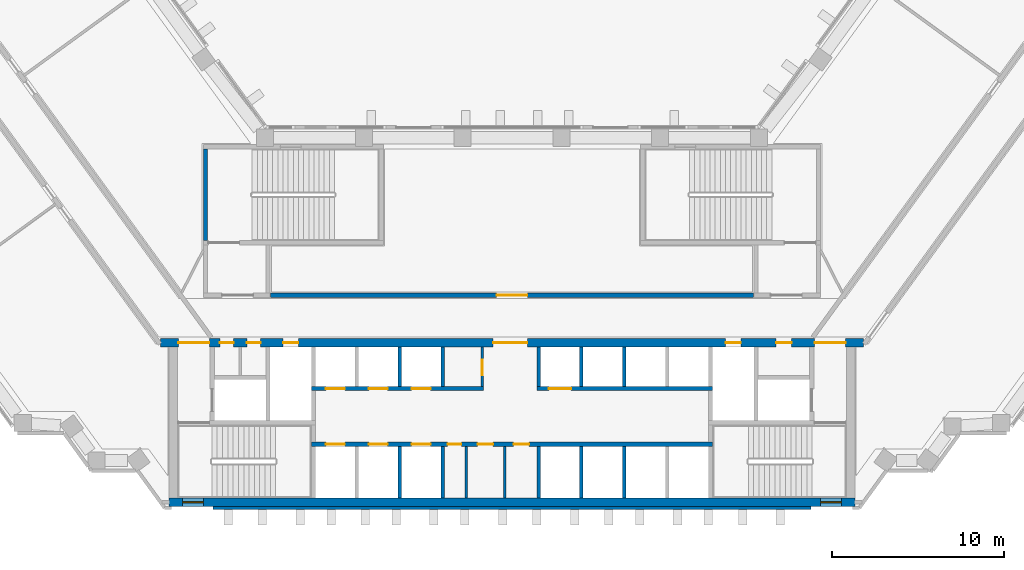
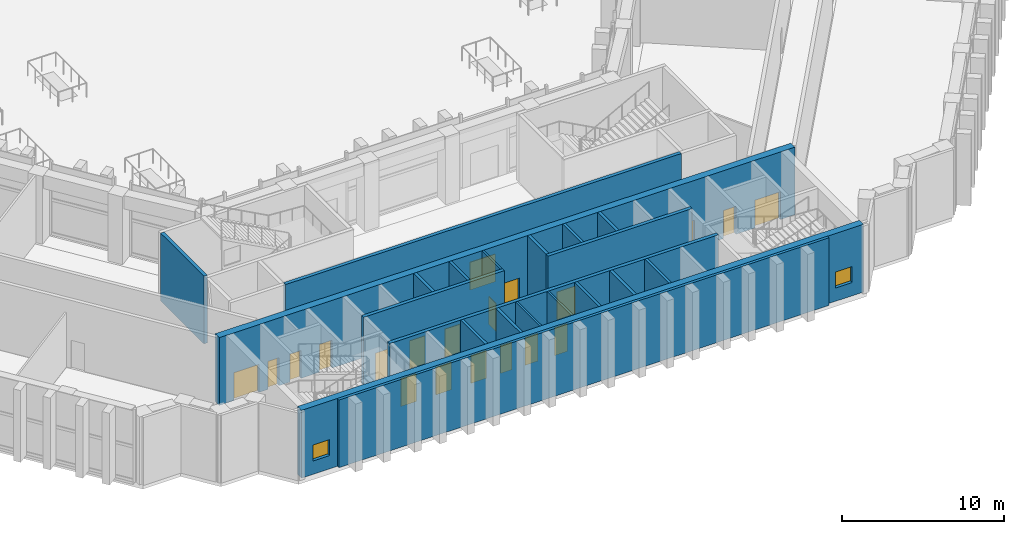
# One storey, part 15 of 25: 21 walls, 20 doors, 2 windows, 22 openings.
"""IFC4 building model written with IfcOpenShell, lengths in metres."""

import ifcopenshell
import ifcopenshell.guid

model = None  # the IFC model being written
_history = None  # IfcOwnerHistory: only IFC2X3 demands one
_inside = {}  # id of a spatial element -> (the spatial element, [elements in it])
_under = {}  # id of a project, library or spatial element -> (it, [spatial elements below it])
_declared = {}  # id of a project -> (the project, [libraries it declares])
_typed = {}  # id of a type object -> (the type object, [elements of that type])
_made_of = {}  # id of a material, layer set ... -> (it, [elements and type objects made of it])


def new_model(schema):
    """Start an empty IFC model of exactly this schema.

    Asked for "IFC4X3", IfcOpenShell would pick the latest addendum, in which some entities
    have other attributes; the version numbers below select the first issue.
    IFC2X3 requires an IfcOwnerHistory on every rooted entity: one is made here for all.
    """
    global model, _history
    if schema == "IFC4X3":
        model = ifcopenshell.file(schema_version=(4, 3, 0, 0))
    else:
        model = ifcopenshell.file(schema=schema)
    _inside.clear()
    _under.clear()
    _declared.clear()
    _typed.clear()
    _made_of.clear()
    _history = None
    if model.schema == "IFC2X3":
        org = make("IfcOrganization", Name="unknown")
        user = make(
            "IfcPersonAndOrganization",
            ThePerson=make("IfcPerson", FamilyName="unknown"),
            TheOrganization=org,
        )
        app = make(
            "IfcApplication",
            ApplicationDeveloper=org,
            Version="unknown",
            ApplicationFullName="unknown",
            ApplicationIdentifier="unknown",
        )
        _history = make(
            "IfcOwnerHistory",
            OwningUser=user,
            OwningApplication=app,
            ChangeAction="ADDED",
            CreationDate=0,
        )
    return model


def make(cls, **values):
    """One entity of the class cls with the attributes given. An attribute that is None is left unset."""
    return model.create_entity(
        cls, **{name: value for name, value in values.items() if value is not None}
    )


def rooted(cls, **values):
    """An entity with a GlobalId (a new one), such as an element, a storey or a relation."""
    return make(cls, GlobalId=ifcopenshell.guid.new(), OwnerHistory=_history, **values)


def si_unit(unit_type, name, prefix=None):
    """IfcSIUnit, for example si_unit("LENGTHUNIT", "METRE", prefix="MILLI")."""
    return make("IfcSIUnit", UnitType=unit_type, Prefix=prefix, Name=name)


def assignment(units):
    """IfcUnitAssignment: the units of a project."""
    return None if units is None else make("IfcUnitAssignment", Units=units)


def point(xyz):
    """IfcCartesianPoint."""
    return None if xyz is None else make("IfcCartesianPoint", Coordinates=xyz)


def direction(xyz):
    """IfcDirection."""
    return None if xyz is None else make("IfcDirection", DirectionRatios=xyz)


def frame(location, z_axis=None, x_axis=None):
    """IfcAxis2Placement3D, a coordinate frame: its origin and axes. An axis left out is left unset."""
    return make(
        "IfcAxis2Placement3D",
        Location=point(location),
        Axis=direction(z_axis),
        RefDirection=direction(x_axis),
    )


def frame_2d(location, x_axis=None):
    """IfcAxis2Placement2D, a coordinate frame in the plane: its origin and x axis."""
    return make(
        "IfcAxis2Placement2D", Location=point(location), RefDirection=direction(x_axis)
    )


def origin():
    """The frame at (0, 0, 0) with its axes left unset."""
    return frame((0.0, 0.0, 0.0))


def place(relative_to, where):
    """IfcLocalPlacement: puts the frame where relative to a parent placement (None: the world)."""
    return make(
        "IfcLocalPlacement", PlacementRelTo=relative_to, RelativePlacement=where
    )


def context(
    kind, dimensions, precision=None, world=None, true_north=None, identifier=None
):
    """IfcGeometricRepresentationContext, for example the 3D "Model" context."""
    return make(
        "IfcGeometricRepresentationContext",
        ContextIdentifier=identifier,
        ContextType=kind,
        CoordinateSpaceDimension=dimensions,
        Precision=precision,
        WorldCoordinateSystem=world,
        TrueNorth=true_north,
    )


def subcontext(parent, identifier, kind, view, scale=None):
    """IfcGeometricRepresentationSubContext, for example "Body" below "Model"."""
    return make(
        "IfcGeometricRepresentationSubContext",
        ContextIdentifier=identifier,
        ContextType=kind,
        ParentContext=parent,
        TargetScale=scale,
        TargetView=view,
    )


def project(units=None, contexts=None):
    """IfcProject with its units and contexts."""
    return rooted(
        "IfcProject",
        Name="project",
        RepresentationContexts=contexts,
        UnitsInContext=assignment(units),
    )


def spatial(cls, under=None, at=None, **own):
    """A site, building, storey or space (cls), placed at a placement, below another one or the project."""
    s = rooted(cls, ObjectPlacement=at, **own)
    if under is not None:
        _under.setdefault(under.id(), (under, []))[1].append(s)
    return s


def profile(cls, at=None, kind="AREA", **sizes):
    """A parametric profile (cls). Its sizes go by their IFC names, for example OverallWidth=200.0."""
    return make(cls, ProfileType=kind, Position=at, **sizes)


def rectangle(**sizes):
    """IfcRectangleProfileDef."""
    return profile("IfcRectangleProfileDef", **sizes)


def extrude(swept, where, along, depth):
    """IfcExtrudedAreaSolid: the profile swept, set in the frame where, extruded along a direction by depth."""
    return make(
        "IfcExtrudedAreaSolid",
        SweptArea=swept,
        Position=where,
        ExtrudedDirection=direction(along),
        Depth=depth,
    )


def shape(context_of_items, identifier, shape_type, items):
    """IfcShapeRepresentation: the items that make up one representation, for example the "Body"."""
    return make(
        "IfcShapeRepresentation",
        ContextOfItems=context_of_items,
        RepresentationIdentifier=identifier,
        RepresentationType=shape_type,
        Items=items,
    )


def material(Name=None, Category=None):
    """IfcMaterial."""
    return make("IfcMaterial", Name=Name, Category=Category)


def layer(
    of_material, thickness, ventilated=None, Name=None, Category=None, Priority=None
):
    """IfcMaterialLayer: one layer of a wall or slab, of a material (None: an air gap)."""
    return make(
        "IfcMaterialLayer",
        Material=of_material,
        LayerThickness=thickness,
        IsVentilated=ventilated,
        Name=Name,
        Category=Category,
        Priority=Priority,
    )


def layer_set(layers, Name=None):
    """IfcMaterialLayerSet."""
    return make("IfcMaterialLayerSet", MaterialLayers=layers, LayerSetName=Name)


def made_of(thing, what):
    """Note that an element or type object is made of a material, layer set ...; save() writes the relation."""
    if what is not None:
        _made_of.setdefault(what.id(), (what, []))[1].append(thing)
    return thing


def type_object(cls, material=None, **own):
    """A type object (cls), such as IfcWallType, which elements share."""
    return made_of(rooted(cls, **own), material)


def element(
    cls,
    number,
    at=None,
    inside=None,
    cuts=None,
    type_object=None,
    material=None,
    context=None,
    identifier="Body",
    shape_type=None,
    held_by="IfcProductDefinitionShape",
    body=None,
    shapes=None,
    **own,
):
    """One element of the class cls, such as IfcWall. Its Tag is "e" and its number.

    at: its placement. inside: the storey or other place that contains it. cuts: it is an
    opening in that element (IfcRelVoidsElement). A single representation is given by context,
    identifier, shape_type and body (its items); several are given by shapes. held_by: the class
    of the entity that holds the representations. save() writes the other relations.
    """
    e = rooted(cls, Tag="e%d" % number, ObjectPlacement=at, **own)
    if body is not None:
        shapes = [shape(context, identifier, shape_type, body)]
    if shapes is not None:
        e.Representation = make(held_by, Representations=shapes)
    if inside is not None:
        _inside.setdefault(inside.id(), (inside, []))[1].append(e)
    if cuts is not None:
        rooted(
            "IfcRelVoidsElement", RelatingBuildingElement=cuts, RelatedOpeningElement=e
        )
    if type_object is not None:
        _typed.setdefault(type_object.id(), (type_object, []))[1].append(e)
    return made_of(e, material)


def fill(opening, filler):
    """IfcRelFillsElement: the door or window that sits in an opening."""
    return rooted(
        "IfcRelFillsElement",
        RelatingOpeningElement=opening,
        RelatedBuildingElement=filler,
    )


def aggregate(whole, parts):
    """IfcRelAggregates: a whole, such as a stair, and the parts it consists of."""
    return rooted("IfcRelAggregates", RelatingObject=whole, RelatedObjects=parts)


def save(model, path):
    """Write the relations noted so far, then the file.

    IfcRelAggregates (storeys below a building ...), IfcRelContainedInSpatialStructure (elements
    in a storey), IfcRelDefinesByType, IfcRelAssociatesMaterial and IfcRelDeclares: one each for
    every whole, place, type object, material and project.
    """
    for whole, parts in _under.values():
        aggregate(whole, parts)
    for where, things in _inside.values():
        rooted(
            "IfcRelContainedInSpatialStructure",
            RelatedElements=things,
            RelatingStructure=where,
        )
    for kind, things in _typed.values():
        rooted("IfcRelDefinesByType", RelatedObjects=things, RelatingType=kind)
    for what, things in _made_of.values():
        rooted("IfcRelAssociatesMaterial", RelatedObjects=things, RelatingMaterial=what)
    for by, libraries in _declared.values():
        rooted("IfcRelDeclares", RelatingContext=by, RelatedDefinitions=libraries)
    model.write(path)


model = new_model("IFC4")

# Units and contexts
model_context = context("Model", 3, precision=1e-05, world=origin(), true_north=direction((0.0, 1.0)))
body_context = subcontext(model_context, "Body", "Model", "MODEL_VIEW")
ifc_project = project(units=[si_unit("LENGTHUNIT", "METRE"), si_unit("AREAUNIT", "SQUARE_METRE"), si_unit("VOLUMEUNIT", "CUBIC_METRE"), si_unit("PLANEANGLEUNIT", "RADIAN"), si_unit("MASSUNIT", "GRAM", prefix="KILO")], contexts=[model_context])

# Site, building, storey
site_placement = place(None, origin())
site = spatial("IfcSite", under=ifc_project, at=site_placement, CompositionType="ELEMENT")
building_placement = place(site_placement, origin())
building = spatial("IfcBuilding", under=site, at=building_placement, Name="Quipu Civic Tower", CompositionType="ELEMENT")
storey_placement = place(building_placement, frame((0.0, 0.0, 6.0)))
storey = spatial("IfcBuildingStorey", under=building, at=storey_placement, Name="L01", CompositionType="ELEMENT", Elevation=6.0)

# Wall, openings, doors
ifc_material_1 = material(Name="Concrete C70/85", Category="concrete")
ifc_layer_1 = layer(ifc_material_1, 0.25)
ifc_layer_set_1 = layer_set([ifc_layer_1], Name="Concrete C70/85")
wall_type_1 = type_object("IfcWallType", Name="Core wall 250", PredefinedType="SHEAR", material=ifc_layer_set_1)
wall_1_placement = place(storey_placement, frame((11.699951171875, -7.375, 0.0), z_axis=(0.0, 0.0, 1.0), x_axis=(-1.0, 0.0, 0.0)))
wall_1 = element("IfcWall", 1, at=wall_1_placement, inside=storey, type_object=wall_type_1, Name="Core wall", PredefinedType="SHEAR", context=body_context, shape_type="SweptSolid", body=[
    extrude(rectangle(XDim=23.39990234375, YDim=0.25, at=frame_2d((11.699951171875, 0.0))), origin(), (0.0, 0.0, 1.0), 5.10009765625),
])
opening_1_placement = place(wall_1_placement, frame((21.449951171875, 0.0, 0.0)))
opening_1 = element("IfcOpeningElement", 2, at=opening_1_placement, cuts=wall_1, Name="Opening LD-LL1", PredefinedType="OPENING", context=body_context, shape_type="SweptSolid", body=[
    extrude(rectangle(XDim=1.10009765625, YDim=2.10009765625, at=frame_2d((0.550048828125, 1.050048828125))), frame((0.0, 0.135009765625, 0.0), z_axis=(0.0, -1.0, 0.0), x_axis=(1.0, 0.0, 0.0)), (0.0, 0.0, 1.0), 0.27001953125),
])
opening_2_placement = place(wall_1_placement, frame((18.949951171875, 0.0, 0.0)))
opening_2 = element("IfcOpeningElement", 3, at=opening_2_placement, cuts=wall_1, Name="Opening LD-LL2", PredefinedType="OPENING", context=body_context, shape_type="SweptSolid", body=[
    extrude(rectangle(XDim=1.10009765625, YDim=2.10009765625, at=frame_2d((0.550048828125, 1.050048828125))), frame((0.0, 0.135009765625, 0.0), z_axis=(0.0, -1.0, 0.0), x_axis=(1.0, 0.0, 0.0)), (0.0, 0.0, 1.0), 0.27001953125),
])
opening_3_placement = place(wall_1_placement, frame((16.449951171875, 0.0, 0.0)))
opening_3 = element("IfcOpeningElement", 4, at=opening_3_placement, cuts=wall_1, Name="Opening LD-LL3", PredefinedType="OPENING", context=body_context, shape_type="SweptSolid", body=[
    extrude(rectangle(XDim=1.10009765625, YDim=2.10009765625, at=frame_2d((0.550048828125, 1.050048828125))), frame((0.0, 0.135009765625, 0.0), z_axis=(0.0, -1.0, 0.0), x_axis=(1.0, 0.0, 0.0)), (0.0, 0.0, 1.0), 0.27001953125),
])
opening_4_placement = place(wall_1_placement, frame((14.64990234375, 0.0, 0.0)))
opening_4 = element("IfcOpeningElement", 5, at=opening_4_placement, cuts=wall_1, Name="Opening CD-01", PredefinedType="OPENING", context=body_context, shape_type="SweptSolid", body=[
    extrude(rectangle(XDim=0.800048828125, YDim=2.10009765625, at=frame_2d((0.39990234375, 1.050048828125))), frame((0.0, 0.135009765625, 0.0), z_axis=(0.0, -1.0, 0.0), x_axis=(1.0, 0.0, 0.0)), (0.0, 0.0, 1.0), 0.27001953125),
])
opening_5_placement = place(wall_1_placement, frame((12.800048828125, 0.0, 0.0)))
opening_5 = element("IfcOpeningElement", 6, at=opening_5_placement, cuts=wall_1, Name="Opening CD-02", PredefinedType="OPENING", context=body_context, shape_type="SweptSolid", body=[
    extrude(rectangle(XDim=0.89990234375, YDim=2.10009765625, at=frame_2d((0.449951171875, 1.050048828125))), frame((0.0, 0.135009765625, 0.0), z_axis=(0.0, -1.0, 0.0), x_axis=(1.0, 0.0, 0.0)), (0.0, 0.0, 1.0), 0.27001953125),
])
opening_6_placement = place(wall_1_placement, frame((10.699951171875, 0.0, 0.0)))
opening_6 = element("IfcOpeningElement", 7, at=opening_6_placement, cuts=wall_1, Name="Opening CD-03", PredefinedType="OPENING", context=body_context, shape_type="SweptSolid", body=[
    extrude(rectangle(XDim=0.89990234375, YDim=2.10009765625, at=frame_2d((0.449951171875, 1.050048828125))), frame((0.0, 0.135009765625, 0.0), z_axis=(0.0, -1.0, 0.0), x_axis=(1.0, 0.0, 0.0)), (0.0, 0.0, 1.0), 0.27001953125),
])
ifc_material_2 = material(Name="Fire rated steel door", Category="steel")
door_type_1 = type_object("IfcDoorType", Name="Fire door FD60 800 x 2100", OperationType="NOTDEFINED", PredefinedType="DOOR", material=ifc_material_2)
door_1_placement = place(opening_4_placement, origin())
door_1 = element("IfcDoor", 8, at=door_1_placement, inside=storey, type_object=door_type_1, Name="Door", OperationType="SINGLE_SWING_RIGHT", OverallHeight=2.10009765625, OverallWidth=0.800048828125, PredefinedType="DOOR", context=body_context, shape_type="SweptSolid", body=[
    extrude(rectangle(XDim=0.800048828125, YDim=2.10009765625, at=frame_2d((0.39990234375, 1.050048828125))), frame((0.0, 0.02490234375, 0.0), z_axis=(0.0, -1.0, 0.0), x_axis=(1.0, 0.0, 0.0)), (0.0, 0.0, 1.0), 0.050048828125),
])
fill(opening_4, door_1)
ifc_material_3 = material(Name="Fire rated steel door", Category="steel")
door_type_2 = type_object("IfcDoorType", Name="Fire door FD60 900 x 2100", OperationType="NOTDEFINED", PredefinedType="DOOR", material=ifc_material_3)
door_2_placement = place(opening_5_placement, origin())
door_2 = element("IfcDoor", 9, at=door_2_placement, inside=storey, type_object=door_type_2, Name="WC door", OperationType="SINGLE_SWING_RIGHT", OverallHeight=2.10009765625, OverallWidth=0.89990234375, PredefinedType="DOOR", context=body_context, shape_type="SweptSolid", body=[
    extrude(rectangle(XDim=0.89990234375, YDim=2.10009765625, at=frame_2d((0.449951171875, 1.050048828125))), frame((0.0, 0.02490234375, 0.0), z_axis=(0.0, -1.0, 0.0), x_axis=(1.0, 0.0, 0.0)), (0.0, 0.0, 1.0), 0.050048828125),
])
fill(opening_5, door_2)
door_3_placement = place(opening_6_placement, origin())
door_3 = element("IfcDoor", 10, at=door_3_placement, inside=storey, type_object=door_type_2, Name="WC door", OperationType="SINGLE_SWING_LEFT", OverallHeight=2.10009765625, OverallWidth=0.89990234375, PredefinedType="DOOR", context=body_context, shape_type="SweptSolid", body=[
    extrude(rectangle(XDim=0.89990234375, YDim=2.10009765625, at=frame_2d((0.449951171875, 1.050048828125))), frame((0.0, 0.02490234375, 0.0), z_axis=(0.0, -1.0, 0.0), x_axis=(1.0, 0.0, 0.0)), (0.0, 0.0, 1.0), 0.050048828125),
])
fill(opening_6, door_3)
ifc_material_4 = material(Name="Stainless steel", Category="steel")
door_type_3 = type_object("IfcDoorType", Name="Lift landing door 1100 x 2100", OperationType="DOUBLE_DOOR_SLIDING", PredefinedType="DOOR", material=ifc_material_4)
door_4_placement = place(opening_1_placement, origin())
door_4 = element("IfcDoor", 11, at=door_4_placement, inside=storey, type_object=door_type_3, Name="Landing door LL1", OperationType="DOUBLE_DOOR_SLIDING", OverallHeight=2.10009765625, OverallWidth=1.10009765625, PredefinedType="DOOR", context=body_context, shape_type="SweptSolid", body=[
    extrude(rectangle(XDim=1.10009765625, YDim=2.10009765625, at=frame_2d((0.550048828125, 1.050048828125))), frame((0.0, 0.02490234375, 0.0), z_axis=(0.0, -1.0, 0.0), x_axis=(1.0, 0.0, 0.0)), (0.0, 0.0, 1.0), 0.050048828125),
])
fill(opening_1, door_4)
door_5_placement = place(opening_2_placement, origin())
door_5 = element("IfcDoor", 12, at=door_5_placement, inside=storey, type_object=door_type_3, Name="Landing door LL2", OperationType="DOUBLE_DOOR_SLIDING", OverallHeight=2.10009765625, OverallWidth=1.10009765625, PredefinedType="DOOR", context=body_context, shape_type="SweptSolid", body=[
    extrude(rectangle(XDim=1.10009765625, YDim=2.10009765625, at=frame_2d((0.550048828125, 1.050048828125))), frame((0.0, 0.02490234375, 0.0), z_axis=(0.0, -1.0, 0.0), x_axis=(1.0, 0.0, 0.0)), (0.0, 0.0, 1.0), 0.050048828125),
])
fill(opening_2, door_5)
door_6_placement = place(opening_3_placement, origin())
door_6 = element("IfcDoor", 13, at=door_6_placement, inside=storey, type_object=door_type_3, Name="Landing door LL3", OperationType="DOUBLE_DOOR_SLIDING", OverallHeight=2.10009765625, OverallWidth=1.10009765625, PredefinedType="DOOR", context=body_context, shape_type="SweptSolid", body=[
    extrude(rectangle(XDim=1.10009765625, YDim=2.10009765625, at=frame_2d((0.550048828125, 1.050048828125))), frame((0.0, 0.02490234375, 0.0), z_axis=(0.0, -1.0, 0.0), x_axis=(1.0, 0.0, 0.0)), (0.0, 0.0, 1.0), 0.050048828125),
])
fill(opening_3, door_6)

wall_2_placement = place(storey_placement, frame((-11.699951171875, -4.125, 0.0), z_axis=(0.0, 0.0, 1.0), x_axis=(1.0, 0.0, 0.0)))
wall_2 = element("IfcWall", 14, at=wall_2_placement, inside=storey, type_object=wall_type_1, Name="Core wall", PredefinedType="SHEAR", context=body_context, shape_type="SweptSolid", body=[
    extrude(rectangle(XDim=10.050048828125, YDim=0.25, at=frame_2d((5.02490234375, 0.0))), origin(), (0.0, 0.0, 1.0), 5.10009765625),
])
opening_7_placement = place(wall_2_placement, frame((0.85009765625, 0.0, 0.0)))
opening_7 = element("IfcOpeningElement", 15, at=opening_7_placement, cuts=wall_2, Name="Opening LD-LL4", PredefinedType="OPENING", context=body_context, shape_type="SweptSolid", body=[
    extrude(rectangle(XDim=1.10009765625, YDim=2.10009765625, at=frame_2d((0.550048828125, 1.050048828125))), frame((0.0, 0.135009765625, 0.0), z_axis=(0.0, -1.0, 0.0), x_axis=(1.0, 0.0, 0.0)), (0.0, 0.0, 1.0), 0.27001953125),
])
opening_8_placement = place(wall_2_placement, frame((3.35009765625, 0.0, 0.0)))
opening_8 = element("IfcOpeningElement", 16, at=opening_8_placement, cuts=wall_2, Name="Opening LD-LL5", PredefinedType="OPENING", context=body_context, shape_type="SweptSolid", body=[
    extrude(rectangle(XDim=1.10009765625, YDim=2.10009765625, at=frame_2d((0.550048828125, 1.050048828125))), frame((0.0, 0.135009765625, 0.0), z_axis=(0.0, -1.0, 0.0), x_axis=(1.0, 0.0, 0.0)), (0.0, 0.0, 1.0), 0.27001953125),
])
opening_9_placement = place(wall_2_placement, frame((5.85009765625, 0.0, 0.0)))
opening_9 = element("IfcOpeningElement", 17, at=opening_9_placement, cuts=wall_2, Name="Opening LD-LL6", PredefinedType="OPENING", context=body_context, shape_type="SweptSolid", body=[
    extrude(rectangle(XDim=1.10009765625, YDim=2.10009765625, at=frame_2d((0.550048828125, 1.050048828125))), frame((0.0, 0.135009765625, 0.0), z_axis=(0.0, -1.0, 0.0), x_axis=(1.0, 0.0, 0.0)), (0.0, 0.0, 1.0), 0.27001953125),
])
door_7_placement = place(opening_7_placement, origin())
door_7 = element("IfcDoor", 18, at=door_7_placement, inside=storey, type_object=door_type_3, Name="Landing door LL4", OperationType="DOUBLE_DOOR_SLIDING", OverallHeight=2.10009765625, OverallWidth=1.10009765625, PredefinedType="DOOR", context=body_context, shape_type="SweptSolid", body=[
    extrude(rectangle(XDim=1.10009765625, YDim=2.10009765625, at=frame_2d((0.550048828125, 1.050048828125))), frame((0.0, 0.02490234375, 0.0), z_axis=(0.0, -1.0, 0.0), x_axis=(1.0, 0.0, 0.0)), (0.0, 0.0, 1.0), 0.050048828125),
])
fill(opening_7, door_7)
door_8_placement = place(opening_8_placement, origin())
door_8 = element("IfcDoor", 19, at=door_8_placement, inside=storey, type_object=door_type_3, Name="Landing door LL5", OperationType="DOUBLE_DOOR_SLIDING", OverallHeight=2.10009765625, OverallWidth=1.10009765625, PredefinedType="DOOR", context=body_context, shape_type="SweptSolid", body=[
    extrude(rectangle(XDim=1.10009765625, YDim=2.10009765625, at=frame_2d((0.550048828125, 1.050048828125))), frame((0.0, 0.02490234375, 0.0), z_axis=(0.0, -1.0, 0.0), x_axis=(1.0, 0.0, 0.0)), (0.0, 0.0, 1.0), 0.050048828125),
])
fill(opening_8, door_8)
door_9_placement = place(opening_9_placement, origin())
door_9 = element("IfcDoor", 20, at=door_9_placement, inside=storey, type_object=door_type_3, Name="Landing door LL6", OperationType="DOUBLE_DOOR_SLIDING", OverallHeight=2.10009765625, OverallWidth=1.10009765625, PredefinedType="DOOR", context=body_context, shape_type="SweptSolid", body=[
    extrude(rectangle(XDim=1.10009765625, YDim=2.10009765625, at=frame_2d((0.550048828125, 1.050048828125))), frame((0.0, 0.02490234375, 0.0), z_axis=(0.0, -1.0, 0.0), x_axis=(1.0, 0.0, 0.0)), (0.0, 0.0, 1.0), 0.050048828125),
])
fill(opening_9, door_9)

# Wall, opening, door
wall_3_placement = place(storey_placement, frame((1.449951171875, -4.125, 0.0), z_axis=(0.0, 0.0, 1.0), x_axis=(1.0, 0.0, 0.0)))
wall_3 = element("IfcWall", 21, at=wall_3_placement, inside=storey, type_object=wall_type_1, Name="Core wall", PredefinedType="SHEAR", context=body_context, shape_type="SweptSolid", body=[
    extrude(rectangle(XDim=10.25, YDim=0.25, at=frame_2d((5.125, 0.0))), origin(), (0.0, 0.0, 1.0), 5.10009765625),
])
opening_10_placement = place(wall_3_placement, frame((0.699951171875, 0.0, 0.0)))
opening_10 = element("IfcOpeningElement", 22, at=opening_10_placement, cuts=wall_3, Name="Opening LD-FF3", PredefinedType="OPENING", context=body_context, shape_type="SweptSolid", body=[
    extrude(rectangle(XDim=1.300048828125, YDim=2.10009765625, at=frame_2d((0.64990234375, 1.050048828125))), frame((0.0, 0.135009765625, 0.0), z_axis=(0.0, -1.0, 0.0), x_axis=(1.0, 0.0, 0.0)), (0.0, 0.0, 1.0), 0.27001953125),
])
ifc_material_5 = material(Name="Stainless steel", Category="steel")
door_type_4 = type_object("IfcDoorType", Name="Lift landing door 1300 x 2100", OperationType="DOUBLE_DOOR_SLIDING", PredefinedType="DOOR", material=ifc_material_5)
door_10_placement = place(opening_10_placement, origin())
door_10 = element("IfcDoor", 23, at=door_10_placement, inside=storey, type_object=door_type_4, Name="Landing door FF3", OperationType="DOUBLE_DOOR_SLIDING", OverallHeight=2.10009765625, OverallWidth=1.300048828125, PredefinedType="DOOR", context=body_context, shape_type="SweptSolid", body=[
    extrude(rectangle(XDim=1.300048828125, YDim=2.10009765625, at=frame_2d((0.64990234375, 1.050048828125))), frame((0.0, 0.02490234375, 0.0), z_axis=(0.0, -1.0, 0.0), x_axis=(1.0, 0.0, 0.0)), (0.0, 0.0, 1.0), 0.050048828125),
])
fill(opening_10, door_10)

# Wall
wall_4_placement = place(storey_placement, frame((-17.875, 4.5, 0.0), z_axis=(0.0, 0.0, 1.0), x_axis=(0.0, 1.0, 0.0)))
element("IfcWall", 24, at=wall_4_placement, inside=storey, type_object=wall_type_1, Name="Core wall", PredefinedType="SHEAR", context=body_context, shape_type="SweptSolid", body=[
    extrude(rectangle(XDim=5.35009765625, YDim=0.25, at=frame_2d((2.675048828125, 0.0))), origin(), (0.0, 0.0, 1.0), 5.10009765625),
])

# Wall, openings, windows
ifc_material_6 = material(Name="Concrete C70/85", Category="concrete")
ifc_layer_2 = layer(ifc_material_6, 0.5)
ifc_layer_set_2 = layer_set([ifc_layer_2], Name="Concrete C70/85")
wall_type_2 = type_object("IfcWallType", Name="Core wall 500", PredefinedType="SHEAR", material=ifc_layer_set_2)
wall_5_placement = place(storey_placement, frame((-20.0, -10.75, 0.0), z_axis=(0.0, 0.0, 1.0), x_axis=(1.0, 0.0, 0.0)))
wall_5 = element("IfcWall", 25, at=wall_5_placement, inside=storey, type_object=wall_type_2, Name="Core wall", PredefinedType="SHEAR", context=body_context, shape_type="SweptSolid", body=[
    extrude(rectangle(XDim=40.0, YDim=0.5, at=frame_2d((20.0, 0.0))), origin(), (0.0, 0.0, 1.0), 5.10009765625),
])
opening_11_placement = place(wall_5_placement, frame((0.800048828125, 0.0, 1.0)))
opening_11 = element("IfcOpeningElement", 26, at=opening_11_placement, cuts=wall_5, Name="Opening SV-1", PredefinedType="OPENING", context=body_context, shape_type="SweptSolid", body=[
    extrude(rectangle(XDim=1.199951171875, YDim=1.199951171875, at=frame_2d((0.60009765625, 0.60009765625))), frame((0.0, 0.260009765625, 0.0), z_axis=(0.0, -1.0, 0.0), x_axis=(1.0, 0.0, 0.0)), (0.0, 0.0, 1.0), 0.52001953125),
])
opening_12_placement = place(wall_5_placement, frame((38.0, 0.0, 1.0)))
opening_12 = element("IfcOpeningElement", 27, at=opening_12_placement, cuts=wall_5, Name="Opening SV-2", PredefinedType="OPENING", context=body_context, shape_type="SweptSolid", body=[
    extrude(rectangle(XDim=1.199951171875, YDim=1.199951171875, at=frame_2d((0.60009765625, 0.60009765625))), frame((0.0, 0.260009765625, 0.0), z_axis=(0.0, -1.0, 0.0), x_axis=(1.0, 0.0, 0.0)), (0.0, 0.0, 1.0), 0.52001953125),
])
ifc_material_7 = material(Name="Aluminium louvre", Category="aluminium")
window_type = type_object("IfcWindowType", Name="Stair ventilation louvre 1200 x 1200", PartitioningType="SINGLE_PANEL", PredefinedType="WINDOW", material=ifc_material_7)
window_1_placement = place(opening_11_placement, origin())
window_1 = element("IfcWindow", 28, at=window_1_placement, inside=storey, type_object=window_type, Name="Stair ventilation opening", OverallHeight=1.199951171875, OverallWidth=1.199951171875, PartitioningType="SINGLE_PANEL", PredefinedType="WINDOW", context=body_context, shape_type="SweptSolid", body=[
    extrude(rectangle(XDim=1.199951171875, YDim=1.199951171875, at=frame_2d((0.60009765625, 0.60009765625))), frame((0.0, 0.030029296875, 0.0), z_axis=(0.0, -1.0, 0.0), x_axis=(1.0, 0.0, 0.0)), (0.0, 0.0, 1.0), 0.06005859375),
])
fill(opening_11, window_1)
window_2_placement = place(opening_12_placement, origin())
window_2 = element("IfcWindow", 29, at=window_2_placement, inside=storey, type_object=window_type, Name="Stair ventilation opening", OverallHeight=1.199951171875, OverallWidth=1.199951171875, PartitioningType="SINGLE_PANEL", PredefinedType="WINDOW", context=body_context, shape_type="SweptSolid", body=[
    extrude(rectangle(XDim=1.199951171875, YDim=1.199951171875, at=frame_2d((0.60009765625, 0.60009765625))), frame((0.0, 0.030029296875, 0.0), z_axis=(0.0, -1.0, 0.0), x_axis=(1.0, 0.0, 0.0)), (0.0, 0.0, 1.0), 0.06005859375),
])
fill(opening_12, window_2)

# Wall, openings, doors
wall_6_placement = place(storey_placement, frame((20.489990234375, -1.449951171875, 0.0), z_axis=(0.0, 0.0, 1.0), x_axis=(-1.0, 0.0, 0.0)))
wall_6 = element("IfcWall", 30, at=wall_6_placement, inside=storey, type_object=wall_type_2, Name="Core wall", PredefinedType="SHEAR", context=body_context, shape_type="SweptSolid", body=[
    extrude(rectangle(XDim=40.97998046875, YDim=0.5, at=frame_2d((20.489990234375, 0.0))), origin(), (0.0, 0.0, 1.0), 5.10009765625),
])
opening_13_placement = place(wall_6_placement, frame((38.139892578125, 0.0, 0.0)))
opening_13 = element("IfcOpeningElement", 31, at=opening_13_placement, cuts=wall_6, Name="Opening CD-07", PredefinedType="OPENING", context=body_context, shape_type="SweptSolid", body=[
    extrude(rectangle(XDim=1.800048828125, YDim=2.10009765625, at=frame_2d((0.89990234375, 1.050048828125))), frame((0.0, 0.260009765625, 0.0), z_axis=(0.0, -1.0, 0.0), x_axis=(1.0, 0.0, 0.0)), (0.0, 0.0, 1.0), 0.52001953125),
])
opening_14_placement = place(wall_6_placement, frame((36.7275390625, 0.0, 0.0)))
opening_14 = element("IfcOpeningElement", 32, at=opening_14_placement, cuts=wall_6, Name="Opening CD-08", PredefinedType="OPENING", context=body_context, shape_type="SweptSolid", body=[
    extrude(rectangle(XDim=0.800048828125, YDim=2.10009765625, at=frame_2d((0.39990234375, 1.050048828125))), frame((0.0, 0.260009765625, 0.0), z_axis=(0.0, -1.0, 0.0), x_axis=(1.0, 0.0, 0.0)), (0.0, 0.0, 1.0), 0.52001953125),
])
opening_15_placement = place(wall_6_placement, frame((35.152587890625, 0.0, 0.0)))
opening_15 = element("IfcOpeningElement", 33, at=opening_15_placement, cuts=wall_6, Name="Opening CD-09", PredefinedType="OPENING", context=body_context, shape_type="SweptSolid", body=[
    extrude(rectangle(XDim=0.800048828125, YDim=2.10009765625, at=frame_2d((0.39990234375, 1.050048828125))), frame((0.0, 0.260009765625, 0.0), z_axis=(0.0, -1.0, 0.0), x_axis=(1.0, 0.0, 0.0)), (0.0, 0.0, 1.0), 0.52001953125),
])
opening_16_placement = place(wall_6_placement, frame((32.93994140625, 0.0, 0.0)))
opening_16 = element("IfcOpeningElement", 34, at=opening_16_placement, cuts=wall_6, Name="Opening CD-10", PredefinedType="OPENING", context=body_context, shape_type="SweptSolid", body=[
    extrude(rectangle(XDim=0.89990234375, YDim=2.10009765625, at=frame_2d((0.449951171875, 1.050048828125))), frame((0.0, 0.260009765625, 0.0), z_axis=(0.0, -1.0, 0.0), x_axis=(1.0, 0.0, 0.0)), (0.0, 0.0, 1.0), 0.52001953125),
])
opening_17_placement = place(wall_6_placement, frame((19.590087890625, 0.0, 0.0)))
opening_17 = element("IfcOpeningElement", 35, at=opening_17_placement, cuts=wall_6, Name="Opening CD-11", PredefinedType="OPENING", context=body_context, shape_type="SweptSolid", body=[
    extrude(rectangle(XDim=2.0, YDim=2.10009765625, at=frame_2d((1.0, 1.050048828125))), frame((0.0, 0.260009765625, 0.0), z_axis=(0.0, -1.0, 0.0), x_axis=(1.0, 0.0, 0.0)), (0.0, 0.0, 1.0), 0.52001953125),
])
opening_18_placement = place(wall_6_placement, frame((7.139892578125, 0.0, 0.0)))
opening_18 = element("IfcOpeningElement", 36, at=opening_18_placement, cuts=wall_6, Name="Opening CD-12", PredefinedType="OPENING", context=body_context, shape_type="SweptSolid", body=[
    extrude(rectangle(XDim=0.89990234375, YDim=2.10009765625, at=frame_2d((0.449951171875, 1.050048828125))), frame((0.0, 0.260009765625, 0.0), z_axis=(0.0, -1.0, 0.0), x_axis=(1.0, 0.0, 0.0)), (0.0, 0.0, 1.0), 0.52001953125),
])
opening_19_placement = place(wall_6_placement, frame((4.18994140625, 0.0, 0.0)))
opening_19 = element("IfcOpeningElement", 37, at=opening_19_placement, cuts=wall_6, Name="Opening CD-13", PredefinedType="OPENING", context=body_context, shape_type="SweptSolid", body=[
    extrude(rectangle(XDim=0.89990234375, YDim=2.10009765625, at=frame_2d((0.449951171875, 1.050048828125))), frame((0.0, 0.260009765625, 0.0), z_axis=(0.0, -1.0, 0.0), x_axis=(1.0, 0.0, 0.0)), (0.0, 0.0, 1.0), 0.52001953125),
])
opening_20_placement = place(wall_6_placement, frame((1.0400390625, 0.0, 0.0)))
opening_20 = element("IfcOpeningElement", 38, at=opening_20_placement, cuts=wall_6, Name="Opening CD-14", PredefinedType="OPENING", context=body_context, shape_type="SweptSolid", body=[
    extrude(rectangle(XDim=1.800048828125, YDim=2.10009765625, at=frame_2d((0.89990234375, 1.050048828125))), frame((0.0, 0.260009765625, 0.0), z_axis=(0.0, -1.0, 0.0), x_axis=(1.0, 0.0, 0.0)), (0.0, 0.0, 1.0), 0.52001953125),
])
door_11_placement = place(opening_14_placement, origin())
door_11 = element("IfcDoor", 39, at=door_11_placement, inside=storey, type_object=door_type_1, Name="Door", OperationType="SINGLE_SWING_RIGHT", OverallHeight=2.10009765625, OverallWidth=0.800048828125, PredefinedType="DOOR", context=body_context, shape_type="SweptSolid", body=[
    extrude(rectangle(XDim=0.800048828125, YDim=2.10009765625, at=frame_2d((0.39990234375, 1.050048828125))), frame((0.0, 0.02490234375, 0.0), z_axis=(0.0, -1.0, 0.0), x_axis=(1.0, 0.0, 0.0)), (0.0, 0.0, 1.0), 0.050048828125),
])
fill(opening_14, door_11)
door_12_placement = place(opening_15_placement, origin())
door_12 = element("IfcDoor", 40, at=door_12_placement, inside=storey, type_object=door_type_1, Name="Door", OperationType="SINGLE_SWING_RIGHT", OverallHeight=2.10009765625, OverallWidth=0.800048828125, PredefinedType="DOOR", context=body_context, shape_type="SweptSolid", body=[
    extrude(rectangle(XDim=0.800048828125, YDim=2.10009765625, at=frame_2d((0.39990234375, 1.050048828125))), frame((0.0, 0.02490234375, 0.0), z_axis=(0.0, -1.0, 0.0), x_axis=(1.0, 0.0, 0.0)), (0.0, 0.0, 1.0), 0.050048828125),
])
fill(opening_15, door_12)
door_13_placement = place(opening_16_placement, origin())
door_13 = element("IfcDoor", 41, at=door_13_placement, inside=storey, type_object=door_type_2, Name="Riser door", OperationType="SINGLE_SWING_RIGHT", OverallHeight=2.10009765625, OverallWidth=0.89990234375, PredefinedType="DOOR", context=body_context, shape_type="SweptSolid", body=[
    extrude(rectangle(XDim=0.89990234375, YDim=2.10009765625, at=frame_2d((0.449951171875, 1.050048828125))), frame((0.0, 0.02490234375, 0.0), z_axis=(0.0, -1.0, 0.0), x_axis=(1.0, 0.0, 0.0)), (0.0, 0.0, 1.0), 0.050048828125),
])
fill(opening_16, door_13)
door_14_placement = place(opening_18_placement, origin())
door_14 = element("IfcDoor", 42, at=door_14_placement, inside=storey, type_object=door_type_2, Name="Riser door", OperationType="SINGLE_SWING_LEFT", OverallHeight=2.10009765625, OverallWidth=0.89990234375, PredefinedType="DOOR", context=body_context, shape_type="SweptSolid", body=[
    extrude(rectangle(XDim=0.89990234375, YDim=2.10009765625, at=frame_2d((0.449951171875, 1.050048828125))), frame((0.0, 0.02490234375, 0.0), z_axis=(0.0, -1.0, 0.0), x_axis=(1.0, 0.0, 0.0)), (0.0, 0.0, 1.0), 0.050048828125),
])
fill(opening_18, door_14)
door_15_placement = place(opening_19_placement, origin())
door_15 = element("IfcDoor", 43, at=door_15_placement, inside=storey, type_object=door_type_2, Name="Door", OperationType="SINGLE_SWING_LEFT", OverallHeight=2.10009765625, OverallWidth=0.89990234375, PredefinedType="DOOR", context=body_context, shape_type="SweptSolid", body=[
    extrude(rectangle(XDim=0.89990234375, YDim=2.10009765625, at=frame_2d((0.449951171875, 1.050048828125))), frame((0.0, 0.02490234375, 0.0), z_axis=(0.0, -1.0, 0.0), x_axis=(1.0, 0.0, 0.0)), (0.0, 0.0, 1.0), 0.050048828125),
])
fill(opening_19, door_15)
ifc_material_8 = material(Name="Fire rated steel door", Category="steel")
door_type_5 = type_object("IfcDoorType", Name="Fire door FD90 double 1800 x 2100", OperationType="NOTDEFINED", PredefinedType="DOOR", material=ifc_material_8)
door_16_placement = place(opening_13_placement, origin())
door_16 = element("IfcDoor", 44, at=door_16_placement, inside=storey, type_object=door_type_5, Name="Lobby door", OperationType="DOUBLE_DOOR_SINGLE_SWING", OverallHeight=2.10009765625, OverallWidth=1.800048828125, PredefinedType="DOOR", context=body_context, shape_type="SweptSolid", body=[
    extrude(rectangle(XDim=1.800048828125, YDim=2.10009765625, at=frame_2d((0.89990234375, 1.050048828125))), frame((0.0, 0.02490234375, 0.0), z_axis=(0.0, -1.0, 0.0), x_axis=(1.0, 0.0, 0.0)), (0.0, 0.0, 1.0), 0.050048828125),
])
fill(opening_13, door_16)
door_17_placement = place(opening_20_placement, origin())
door_17 = element("IfcDoor", 45, at=door_17_placement, inside=storey, type_object=door_type_5, Name="Lobby door", OperationType="DOUBLE_DOOR_SINGLE_SWING", OverallHeight=2.10009765625, OverallWidth=1.800048828125, PredefinedType="DOOR", context=body_context, shape_type="SweptSolid", body=[
    extrude(rectangle(XDim=1.800048828125, YDim=2.10009765625, at=frame_2d((0.89990234375, 1.050048828125))), frame((0.0, 0.02490234375, 0.0), z_axis=(0.0, -1.0, 0.0), x_axis=(1.0, 0.0, 0.0)), (0.0, 0.0, 1.0), 0.050048828125),
])
fill(opening_20, door_17)
ifc_material_9 = material(Name="Fire rated steel door", Category="steel")
door_type_6 = type_object("IfcDoorType", Name="Fire door FD90 double 2000 x 2100", OperationType="NOTDEFINED", PredefinedType="DOOR", material=ifc_material_9)
door_18_placement = place(opening_17_placement, origin())
door_18 = element("IfcDoor", 46, at=door_18_placement, inside=storey, type_object=door_type_6, Name="Lobby door", OperationType="DOUBLE_DOOR_SINGLE_SWING", OverallHeight=2.10009765625, OverallWidth=2.0, PredefinedType="DOOR", context=body_context, shape_type="SweptSolid", body=[
    extrude(rectangle(XDim=2.0, YDim=2.10009765625, at=frame_2d((1.0, 1.050048828125))), frame((0.0, 0.02490234375, 0.0), z_axis=(0.0, -1.0, 0.0), x_axis=(1.0, 0.0, 0.0)), (0.0, 0.0, 1.0), 0.050048828125),
])
fill(opening_17, door_18)

# Wall, opening, door
ifc_material_10 = material(Name="Concrete C50/60", Category="concrete")
ifc_layer_3 = layer(ifc_material_10, 0.25)
ifc_layer_set_3 = layer_set([ifc_layer_3], Name="Concrete C50/60")
wall_type_3 = type_object("IfcWallType", Name="Corridor wall 250 concrete", PredefinedType="SOLIDWALL", material=ifc_layer_set_3)
wall_7_placement = place(storey_placement, frame((-14.090087890625, 1.324951171875, 0.0), z_axis=(0.0, 0.0, 1.0), x_axis=(1.0, 0.0, 0.0)))
wall_7 = element("IfcWall", 47, at=wall_7_placement, inside=storey, type_object=wall_type_3, Name="Corridor wall C05", PredefinedType="SOLIDWALL", context=body_context, shape_type="SweptSolid", body=[
    extrude(rectangle(XDim=28.18017578125, YDim=0.25, at=frame_2d((14.090087890625, 0.0))), origin(), (0.0, 0.0, 1.0), 5.10009765625),
])
opening_21_placement = place(wall_7_placement, frame((13.18994140625, 0.0, 0.0)))
opening_21 = element("IfcOpeningElement", 48, at=opening_21_placement, cuts=wall_7, Name="Opening D009", PredefinedType="OPENING", context=body_context, shape_type="SweptSolid", body=[
    extrude(rectangle(XDim=1.800048828125, YDim=2.10009765625, at=frame_2d((0.89990234375, 1.050048828125))), frame((0.0, 0.135009765625, 0.0), z_axis=(0.0, -1.0, 0.0), x_axis=(1.0, 0.0, 0.0)), (0.0, 0.0, 1.0), 0.27001953125),
])
ifc_material_11 = material(Name="Fire rated timber door set with metal frame", Category="wood")
door_type_7 = type_object("IfcDoorType", Name="Double door 1800 x 2100 FD60", OperationType="DOUBLE_DOOR_SINGLE_SWING", PredefinedType="DOOR", material=ifc_material_11)
door_19_placement = place(opening_21_placement, origin())
door_19 = element("IfcDoor", 49, at=door_19_placement, inside=storey, type_object=door_type_7, Name="Door D009", OperationType="DOUBLE_DOOR_SINGLE_SWING", OverallHeight=2.10009765625, OverallWidth=1.800048828125, PredefinedType="DOOR", context=body_context, shape_type="SweptSolid", body=[
    extrude(rectangle(XDim=1.800048828125, YDim=2.10009765625, at=frame_2d((0.89990234375, 1.050048828125))), frame((0.0, 0.02490234375, 0.0), z_axis=(0.0, -1.0, 0.0), x_axis=(1.0, 0.0, 0.0)), (0.0, 0.0, 1.0), 0.050048828125),
])
fill(opening_21, door_19)

# Walls
ifc_material_12 = material(Name="Gypsum board partition")
ifc_layer_4 = layer(ifc_material_12, 0.14990234375)
ifc_layer_set_4 = layer_set([ifc_layer_4], Name="Gypsum board partition")
wall_type_4 = type_object("IfcWallType", Name="Partition 150", PredefinedType="PARTITIONING", material=ifc_layer_set_4)
for number, where, z_axis, x_axis, name in (
    (50, (-2.675048828125, -10.5, 0.0), (0.0, 0.0, 1.0), (0.0, 1.0, 0.0), "Partition"),
    (51, (-0.425048828125, -10.5, 0.0), (0.0, 0.0, 1.0), (0.0, 1.0, 0.0), "Partition"),
):
    element("IfcWall", number, at=place(storey_placement, frame(where, z_axis=z_axis, x_axis=x_axis)), inside=storey, type_object=wall_type_4, Name=name, PredefinedType="PARTITIONING", context=body_context, shape_type="SweptSolid", body=[
        extrude(rectangle(XDim=3.0, YDim=0.14990234375, at=frame_2d((1.5, 0.0))), origin(), (0.0, 0.0, 1.0), 5.10009765625),
    ])

# Wall, opening, door
wall_8_placement = place(storey_placement, frame((-1.72509765625, -1.699951171875, 0.0), z_axis=(0.0, 0.0, 1.0), x_axis=(0.0, -1.0, 0.0)))
wall_8 = element("IfcWall", 52, at=wall_8_placement, inside=storey, type_object=wall_type_4, Name="Partition", PredefinedType="PARTITIONING", context=body_context, shape_type="SweptSolid", body=[
    extrude(rectangle(XDim=2.300048828125, YDim=0.14990234375, at=frame_2d((1.14990234375, 0.0))), origin(), (0.0, 0.0, 1.0), 5.10009765625),
])
opening_22_placement = place(wall_8_placement, frame((0.75, 0.0, 0.0)))
opening_22 = element("IfcOpeningElement", 53, at=opening_22_placement, cuts=wall_8, Name="Opening CD-06", PredefinedType="OPENING", context=body_context, shape_type="SweptSolid", body=[
    extrude(rectangle(XDim=0.89990234375, YDim=2.10009765625, at=frame_2d((0.449951171875, 1.050048828125))), frame((0.0, 0.0849609375, 0.0), z_axis=(0.0, -1.0, 0.0), x_axis=(1.0, 0.0, 0.0)), (0.0, 0.0, 1.0), 0.169921875),
])
door_20_placement = place(opening_22_placement, origin())
door_20 = element("IfcDoor", 54, at=door_20_placement, inside=storey, type_object=door_type_2, Name="WC door", OperationType="SINGLE_SWING_RIGHT", OverallHeight=2.10009765625, OverallWidth=0.89990234375, PredefinedType="DOOR", context=body_context, shape_type="SweptSolid", body=[
    extrude(rectangle(XDim=0.89990234375, YDim=2.10009765625, at=frame_2d((0.449951171875, 1.050048828125))), frame((0.0, 0.02490234375, 0.0), z_axis=(0.0, -1.0, 0.0), x_axis=(1.0, 0.0, 0.0)), (0.0, 0.0, 1.0), 0.050048828125),
])
fill(opening_22, door_20)

# Walls
ifc_material_13 = material(Name="Precast concrete C40/50", Category="concrete")
wall_type_5 = type_object("IfcWallType", Name="Precast cladding wall", PredefinedType="SOLIDWALL", material=ifc_material_13)
wall_9_placement = place(storey_placement, frame((-17.44384765625, -11.087890625, 0.0), z_axis=(0.0, 0.0, 1.0), x_axis=(1.0, 0.0, 0.0)))
element("IfcWall", 55, at=wall_9_placement, inside=storey, type_object=wall_type_5, Name="Precast cladding wall L01 27", PredefinedType="SOLIDWALL", context=body_context, shape_type="SweptSolid", body=[
    extrude(rectangle(XDim=34.8876953125, YDim=0.199951171875, at=frame_2d((17.44384765625, 0.0))), origin(), (0.0, 0.0, 1.0), 5.10009765625),
])
ifc_material_14 = material(Name="Concrete C40/50", Category="concrete")
ifc_layer_5 = layer(ifc_material_14, 0.199951171875)
ifc_layer_set_5 = layer_set([ifc_layer_5], Name="Concrete C40/50")
wall_type_6 = type_object("IfcWallType", Name="Shaft wall 200", PredefinedType="SOLIDWALL", material=ifc_layer_set_5)
for number, where, z_axis, x_axis, name in (
    (56, (-6.550048828125, -10.5, 0.0), (0.0, 0.0, 1.0), (0.0, 1.0, 0.0), "Shaft wall"),
    (57, (-4.050048828125, -10.5, 0.0), (0.0, 0.0, 1.0), (0.0, 1.0, 0.0), "Shaft wall"),
    (58, (1.550048828125, -10.5, 0.0), (0.0, 0.0, 1.0), (0.0, 1.0, 0.0), "Shaft wall"),
    (59, (4.050048828125, -10.5, 0.0), (0.0, 0.0, 1.0), (0.0, 1.0, 0.0), "Shaft wall"),
    (60, (6.550048828125, -10.5, 0.0), (0.0, 0.0, 1.0), (0.0, 1.0, 0.0), "Shaft wall"),
):
    element("IfcWall", number, at=place(storey_placement, frame(where, z_axis=z_axis, x_axis=x_axis)), inside=storey, type_object=wall_type_6, Name=name, PredefinedType="SOLIDWALL", context=body_context, shape_type="SweptSolid", body=[
        extrude(rectangle(XDim=3.0, YDim=0.199951171875, at=frame_2d((1.5, 0.0))), origin(), (0.0, 0.0, 1.0), 5.10009765625),
    ])
for number, where, z_axis, x_axis, name in (
    (61, (-6.550048828125, -4.0, 0.0), (0.0, 0.0, 1.0), (0.0, 1.0, 0.0), "Shaft wall"),
    (62, (-4.050048828125, -4.0, 0.0), (0.0, 0.0, 1.0), (0.0, 1.0, 0.0), "Shaft wall"),
    (63, (1.550048828125, -4.0, 0.0), (0.0, 0.0, 1.0), (0.0, 1.0, 0.0), "Shaft wall"),
    (64, (4.050048828125, -4.0, 0.0), (0.0, 0.0, 1.0), (0.0, 1.0, 0.0), "Shaft wall"),
    (65, (6.550048828125, -4.0, 0.0), (0.0, 0.0, 1.0), (0.0, 1.0, 0.0), "Shaft wall"),
):
    element("IfcWall", number, at=place(storey_placement, frame(where, z_axis=z_axis, x_axis=x_axis)), inside=storey, type_object=wall_type_6, Name=name, PredefinedType="SOLIDWALL", context=body_context, shape_type="SweptSolid", body=[
        extrude(rectangle(XDim=2.300048828125, YDim=0.199951171875, at=frame_2d((1.14990234375, 0.0))), origin(), (0.0, 0.0, 1.0), 5.10009765625),
    ])

save(model, "model.ifc")
